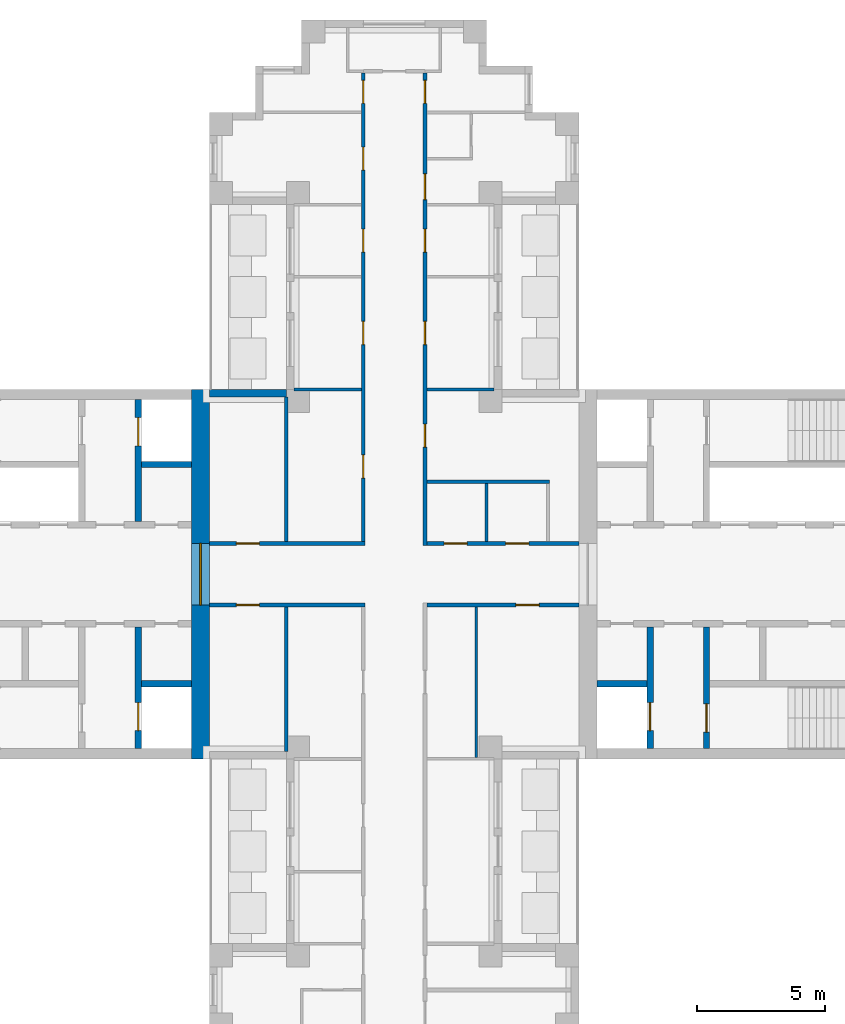
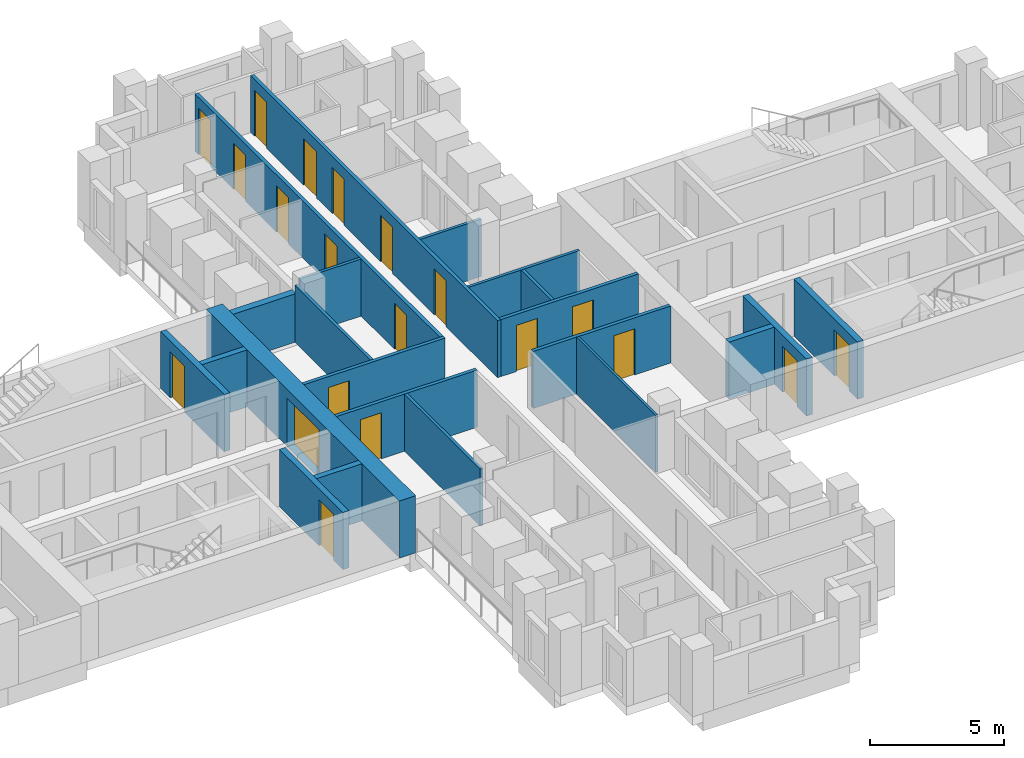
# One storey, part 5 of 10: 22 walls, 20 doors, 20 openings.
"""IFC4 building model written with IfcOpenShell, lengths in metres."""

from ifc_helpers import new_model, si_unit, direction, frame, frame_2d, origin, place, context, subcontext, project, spatial, rectangle, extrude, material, layer, layer_set, type_object, element, fill, save


model = new_model("IFC4")

# Units and contexts
model_context = context("Model", 3, precision=1e-05, world=origin(), true_north=direction((0.0, 1.0)))
body_context = subcontext(model_context, "Body", "Model", "MODEL_VIEW")
ifc_project = project(units=[si_unit("LENGTHUNIT", "METRE"), si_unit("AREAUNIT", "SQUARE_METRE"), si_unit("VOLUMEUNIT", "CUBIC_METRE"), si_unit("PLANEANGLEUNIT", "RADIAN"), si_unit("MASSUNIT", "GRAM", prefix="KILO")], contexts=[model_context])

# Site, building, storey
site_placement = place(None, origin())
site = spatial("IfcSite", under=ifc_project, at=site_placement, CompositionType="ELEMENT")
building_placement = place(site_placement, origin())
building = spatial("IfcBuilding", under=site, at=building_placement, Name="Fustian Cross Tower", CompositionType="ELEMENT")
storey_placement = place(building_placement, frame((0.0, 0.0, 185.699951171875)))
storey = spatial("IfcBuildingStorey", under=building, at=storey_placement, Name="L58", CompositionType="ELEMENT", Elevation=185.699951171875)

# Wall, opening, door
ifc_material_1 = material(Name="Plasterboard on steel stud", Category="steel")
ifc_layer_1 = layer(ifc_material_1, 0.14990234375)
ifc_layer_set_1 = layer_set([ifc_layer_1], Name="Plasterboard on steel stud")
wall_type_1 = type_object("IfcWallType", Name="COMPARTMENT WALL 150 EI 60", PredefinedType="PARTITIONING", material=ifc_layer_set_1)
wall_1_placement = place(storey_placement, frame((-7.199951171875, -1.199951171875, 0.0), z_axis=(0.0, 0.0, 1.0), x_axis=(1.0, 0.0, 0.0)))
wall_1 = element("IfcWall", 1, at=wall_1_placement, inside=storey, type_object=wall_type_1, Name="Partition 13", PredefinedType="PARTITIONING", context=body_context, shape_type="SweptSolid", body=[
    extrude(rectangle(XDim=6.074951171875, YDim=0.14990234375, at=frame_2d((3.03759765625, 0.0))), origin(), (0.0, 0.0, 1.0), 2.60009765625),
])
opening_1_placement = place(wall_1_placement, frame((1.050048828125, 0.0, 0.0)))
opening_1 = element("IfcOpeningElement", 2, at=opening_1_placement, cuts=wall_1, Name="Opening D26009", PredefinedType="OPENING", context=body_context, shape_type="SweptSolid", body=[
    extrude(rectangle(XDim=0.89990234375, YDim=2.10009765625, at=frame_2d((0.449951171875, 1.050048828125))), frame((0.0, 0.0849609375, 0.0), z_axis=(0.0, -1.0, 0.0), x_axis=(1.0, 0.0, 0.0)), (0.0, 0.0, 1.0), 0.169921875),
])
ifc_material_2 = material(Name="Timber fire door set", Category="wood")
door_type_1 = type_object("IfcDoorType", Name="FIRE SWING DOOR 900 FD30S", OperationType="SINGLE_SWING_LEFT", PredefinedType="DOOR", material=ifc_material_2)
door_1_placement = place(opening_1_placement, frame((0.89990234375, 0.0, 0.0), z_axis=(0.0, 0.0, 1.0), x_axis=(-1.0, 0.0, 0.0)))
door_1 = element("IfcDoor", 3, at=door_1_placement, inside=storey, type_object=door_type_1, Name="Door D26009", OperationType="SINGLE_SWING_LEFT", OverallHeight=2.10009765625, OverallWidth=0.89990234375, PredefinedType="DOOR", context=body_context, shape_type="SweptSolid", body=[
    extrude(rectangle(XDim=0.89990234375, YDim=2.10009765625, at=frame_2d((0.449951171875, 1.050048828125))), frame((0.0, 0.02490234375, 0.0), z_axis=(0.0, -1.0, 0.0), x_axis=(1.0, 0.0, 0.0)), (0.0, 0.0, 1.0), 0.050048828125),
])
fill(opening_1, door_1)

wall_2_placement = place(storey_placement, frame((-7.199951171875, 1.199951171875, 0.0), z_axis=(0.0, 0.0, 1.0), x_axis=(1.0, 0.0, 0.0)))
wall_2 = element("IfcWall", 4, at=wall_2_placement, inside=storey, type_object=wall_type_1, Name="Partition 14", PredefinedType="PARTITIONING", context=body_context, shape_type="SweptSolid", body=[
    extrude(rectangle(XDim=6.074951171875, YDim=0.14990234375, at=frame_2d((3.03759765625, 0.0))), origin(), (0.0, 0.0, 1.0), 2.60009765625),
])
opening_2_placement = place(wall_2_placement, frame((1.050048828125, 0.0, 0.0)))
opening_2 = element("IfcOpeningElement", 5, at=opening_2_placement, cuts=wall_2, Name="Opening D26005", PredefinedType="OPENING", context=body_context, shape_type="SweptSolid", body=[
    extrude(rectangle(XDim=0.89990234375, YDim=2.10009765625, at=frame_2d((0.449951171875, 1.050048828125))), frame((0.0, 0.0849609375, 0.0), z_axis=(0.0, -1.0, 0.0), x_axis=(1.0, 0.0, 0.0)), (0.0, 0.0, 1.0), 0.169921875),
])
door_2_placement = place(opening_2_placement, origin())
door_2 = element("IfcDoor", 6, at=door_2_placement, inside=storey, type_object=door_type_1, Name="Door D26005", OperationType="SINGLE_SWING_RIGHT", OverallHeight=2.10009765625, OverallWidth=0.89990234375, PredefinedType="DOOR", context=body_context, shape_type="SweptSolid", body=[
    extrude(rectangle(XDim=0.89990234375, YDim=2.10009765625, at=frame_2d((0.449951171875, 1.050048828125))), frame((0.0, 0.02490234375, 0.0), z_axis=(0.0, -1.0, 0.0), x_axis=(1.0, 0.0, 0.0)), (0.0, 0.0, 1.0), 0.050048828125),
])
fill(opening_2, door_2)

# Wall, openings, doors
wall_3_placement = place(storey_placement, frame((-1.199951171875, 1.27490234375, 0.0), z_axis=(0.0, 0.0, 1.0), x_axis=(0.0, 1.0, 0.0)))
wall_3 = element("IfcWall", 7, at=wall_3_placement, inside=storey, type_object=wall_type_1, Name="Partition 33", PredefinedType="PARTITIONING", context=body_context, shape_type="SweptSolid", body=[
    extrude(rectangle(XDim=18.25, YDim=0.14990234375, at=frame_2d((9.125, 0.0))), origin(), (0.0, 0.0, 1.0), 2.60009765625),
])
opening_3_placement = place(wall_3_placement, frame((2.47509765625, 0.0, 0.0)))
opening_3 = element("IfcOpeningElement", 8, at=opening_3_placement, cuts=wall_3, Name="Opening D26004", PredefinedType="OPENING", context=body_context, shape_type="SweptSolid", body=[
    extrude(rectangle(XDim=0.89990234375, YDim=2.10009765625, at=frame_2d((0.449951171875, 1.050048828125))), frame((0.0, 0.0849609375, 0.0), z_axis=(0.0, -1.0, 0.0), x_axis=(1.0, 0.0, 0.0)), (0.0, 0.0, 1.0), 0.169921875),
])
opening_4_placement = place(wall_3_placement, frame((11.27490234375, 0.0, 0.0)))
opening_4 = element("IfcOpeningElement", 9, at=opening_4_placement, cuts=wall_3, Name="Opening D26018", PredefinedType="OPENING", context=body_context, shape_type="SweptSolid", body=[
    extrude(rectangle(XDim=0.89990234375, YDim=2.10009765625, at=frame_2d((0.449951171875, 1.050048828125))), frame((0.0, 0.0849609375, 0.0), z_axis=(0.0, -1.0, 0.0), x_axis=(1.0, 0.0, 0.0)), (0.0, 0.0, 1.0), 0.169921875),
])
opening_5_placement = place(wall_3_placement, frame((7.675048828125, 0.0, 0.0)))
opening_5 = element("IfcOpeningElement", 10, at=opening_5_placement, cuts=wall_3, Name="Opening D26019", PredefinedType="OPENING", context=body_context, shape_type="SweptSolid", body=[
    extrude(rectangle(XDim=0.89990234375, YDim=2.10009765625, at=frame_2d((0.449951171875, 1.050048828125))), frame((0.0, 0.0849609375, 0.0), z_axis=(0.0, -1.0, 0.0), x_axis=(1.0, 0.0, 0.0)), (0.0, 0.0, 1.0), 0.169921875),
])
opening_6_placement = place(wall_3_placement, frame((14.47509765625, 0.0, 0.0)))
opening_6 = element("IfcOpeningElement", 11, at=opening_6_placement, cuts=wall_3, Name="Opening D26020", PredefinedType="OPENING", context=body_context, shape_type="SweptSolid", body=[
    extrude(rectangle(XDim=0.89990234375, YDim=2.10009765625, at=frame_2d((0.449951171875, 1.050048828125))), frame((0.0, 0.0849609375, 0.0), z_axis=(0.0, -1.0, 0.0), x_axis=(1.0, 0.0, 0.0)), (0.0, 0.0, 1.0), 0.169921875),
])
opening_7_placement = place(wall_3_placement, frame((17.074951171875, 0.0, 0.0)))
opening_7 = element("IfcOpeningElement", 12, at=opening_7_placement, cuts=wall_3, Name="Opening D26021", PredefinedType="OPENING", context=body_context, shape_type="SweptSolid", body=[
    extrude(rectangle(XDim=0.89990234375, YDim=2.10009765625, at=frame_2d((0.449951171875, 1.050048828125))), frame((0.0, 0.0849609375, 0.0), z_axis=(0.0, -1.0, 0.0), x_axis=(1.0, 0.0, 0.0)), (0.0, 0.0, 1.0), 0.169921875),
])
door_3_placement = place(opening_3_placement, origin())
door_3 = element("IfcDoor", 13, at=door_3_placement, inside=storey, type_object=door_type_1, Name="Door D26004", OperationType="SINGLE_SWING_LEFT", OverallHeight=2.10009765625, OverallWidth=0.89990234375, PredefinedType="DOOR", context=body_context, shape_type="SweptSolid", body=[
    extrude(rectangle(XDim=0.89990234375, YDim=2.10009765625, at=frame_2d((0.449951171875, 1.050048828125))), frame((0.0, 0.02490234375, 0.0), z_axis=(0.0, -1.0, 0.0), x_axis=(1.0, 0.0, 0.0)), (0.0, 0.0, 1.0), 0.050048828125),
])
fill(opening_3, door_3)
door_4_placement = place(opening_4_placement, origin())
door_4 = element("IfcDoor", 14, at=door_4_placement, inside=storey, type_object=door_type_1, Name="Door D26018", OperationType="SINGLE_SWING_LEFT", OverallHeight=2.10009765625, OverallWidth=0.89990234375, PredefinedType="DOOR", context=body_context, shape_type="SweptSolid", body=[
    extrude(rectangle(XDim=0.89990234375, YDim=2.10009765625, at=frame_2d((0.449951171875, 1.050048828125))), frame((0.0, 0.02490234375, 0.0), z_axis=(0.0, -1.0, 0.0), x_axis=(1.0, 0.0, 0.0)), (0.0, 0.0, 1.0), 0.050048828125),
])
fill(opening_4, door_4)
door_5_placement = place(opening_5_placement, origin())
door_5 = element("IfcDoor", 15, at=door_5_placement, inside=storey, type_object=door_type_1, Name="Door D26019", OperationType="SINGLE_SWING_LEFT", OverallHeight=2.10009765625, OverallWidth=0.89990234375, PredefinedType="DOOR", context=body_context, shape_type="SweptSolid", body=[
    extrude(rectangle(XDim=0.89990234375, YDim=2.10009765625, at=frame_2d((0.449951171875, 1.050048828125))), frame((0.0, 0.02490234375, 0.0), z_axis=(0.0, -1.0, 0.0), x_axis=(1.0, 0.0, 0.0)), (0.0, 0.0, 1.0), 0.050048828125),
])
fill(opening_5, door_5)
door_6_placement = place(opening_6_placement, origin())
door_6 = element("IfcDoor", 16, at=door_6_placement, inside=storey, type_object=door_type_1, Name="Door D26020", OperationType="SINGLE_SWING_LEFT", OverallHeight=2.10009765625, OverallWidth=0.89990234375, PredefinedType="DOOR", context=body_context, shape_type="SweptSolid", body=[
    extrude(rectangle(XDim=0.89990234375, YDim=2.10009765625, at=frame_2d((0.449951171875, 1.050048828125))), frame((0.0, 0.02490234375, 0.0), z_axis=(0.0, -1.0, 0.0), x_axis=(1.0, 0.0, 0.0)), (0.0, 0.0, 1.0), 0.050048828125),
])
fill(opening_6, door_6)
door_7_placement = place(opening_7_placement, origin())
door_7 = element("IfcDoor", 17, at=door_7_placement, inside=storey, type_object=door_type_1, Name="Door D26021", OperationType="SINGLE_SWING_LEFT", OverallHeight=2.10009765625, OverallWidth=0.89990234375, PredefinedType="DOOR", context=body_context, shape_type="SweptSolid", body=[
    extrude(rectangle(XDim=0.89990234375, YDim=2.10009765625, at=frame_2d((0.449951171875, 1.050048828125))), frame((0.0, 0.02490234375, 0.0), z_axis=(0.0, -1.0, 0.0), x_axis=(1.0, 0.0, 0.0)), (0.0, 0.0, 1.0), 0.050048828125),
])
fill(opening_7, door_7)

# Wall, opening, door
wall_4_placement = place(storey_placement, frame((1.27490234375, -1.199951171875, 0.0), z_axis=(0.0, 0.0, 1.0), x_axis=(1.0, 0.0, 0.0)))
wall_4 = element("IfcWall", 18, at=wall_4_placement, inside=storey, type_object=wall_type_1, Name="Partition 41", PredefinedType="PARTITIONING", context=body_context, shape_type="SweptSolid", body=[
    extrude(rectangle(XDim=5.925048828125, YDim=0.14990234375, at=frame_2d((2.96240234375, 0.0))), origin(), (0.0, 0.0, 1.0), 2.60009765625),
])
opening_8_placement = place(wall_4_placement, frame((3.47509765625, 0.0, 0.0)))
opening_8 = element("IfcOpeningElement", 19, at=opening_8_placement, cuts=wall_4, Name="Opening D26007", PredefinedType="OPENING", context=body_context, shape_type="SweptSolid", body=[
    extrude(rectangle(XDim=0.89990234375, YDim=2.10009765625, at=frame_2d((0.449951171875, 1.050048828125))), frame((0.0, 0.0849609375, 0.0), z_axis=(0.0, -1.0, 0.0), x_axis=(1.0, 0.0, 0.0)), (0.0, 0.0, 1.0), 0.169921875),
])
door_8_placement = place(opening_8_placement, frame((0.89990234375, 0.0, 0.0), z_axis=(0.0, 0.0, 1.0), x_axis=(-1.0, 0.0, 0.0)))
door_8 = element("IfcDoor", 20, at=door_8_placement, inside=storey, type_object=door_type_1, Name="Door D26007", OperationType="SINGLE_SWING_RIGHT", OverallHeight=2.10009765625, OverallWidth=0.89990234375, PredefinedType="DOOR", context=body_context, shape_type="SweptSolid", body=[
    extrude(rectangle(XDim=0.89990234375, YDim=2.10009765625, at=frame_2d((0.449951171875, 1.050048828125))), frame((0.0, 0.02490234375, 0.0), z_axis=(0.0, -1.0, 0.0), x_axis=(1.0, 0.0, 0.0)), (0.0, 0.0, 1.0), 0.050048828125),
])
fill(opening_8, door_8)

# Wall, openings, doors
wall_5_placement = place(storey_placement, frame((1.199951171875, 1.125, 0.0), z_axis=(0.0, 0.0, 1.0), x_axis=(0.0, 1.0, 0.0)))
wall_5 = element("IfcWall", 21, at=wall_5_placement, inside=storey, type_object=wall_type_1, Name="Partition 42", PredefinedType="PARTITIONING", context=body_context, shape_type="SweptSolid", body=[
    extrude(rectangle(XDim=18.39990234375, YDim=0.14990234375, at=frame_2d((9.199951171875, 0.0))), origin(), (0.0, 0.0, 1.0), 2.60009765625),
])
opening_9_placement = place(wall_5_placement, frame((3.824951171875, 0.0, 0.0)))
opening_9 = element("IfcOpeningElement", 22, at=opening_9_placement, cuts=wall_5, Name="Opening D26003", PredefinedType="OPENING", context=body_context, shape_type="SweptSolid", body=[
    extrude(rectangle(XDim=0.89990234375, YDim=2.10009765625, at=frame_2d((0.449951171875, 1.050048828125))), frame((0.0, 0.0849609375, 0.0), z_axis=(0.0, -1.0, 0.0), x_axis=(1.0, 0.0, 0.0)), (0.0, 0.0, 1.0), 0.169921875),
])
opening_10_placement = place(wall_5_placement, frame((11.425048828125, 0.0, 0.0)))
opening_10 = element("IfcOpeningElement", 23, at=opening_10_placement, cuts=wall_5, Name="Opening D26022", PredefinedType="OPENING", context=body_context, shape_type="SweptSolid", body=[
    extrude(rectangle(XDim=0.89990234375, YDim=2.10009765625, at=frame_2d((0.449951171875, 1.050048828125))), frame((0.0, 0.0849609375, 0.0), z_axis=(0.0, -1.0, 0.0), x_axis=(1.0, 0.0, 0.0)), (0.0, 0.0, 1.0), 0.169921875),
])
opening_11_placement = place(wall_5_placement, frame((7.824951171875, 0.0, 0.0)))
opening_11 = element("IfcOpeningElement", 24, at=opening_11_placement, cuts=wall_5, Name="Opening D26023", PredefinedType="OPENING", context=body_context, shape_type="SweptSolid", body=[
    extrude(rectangle(XDim=0.89990234375, YDim=2.10009765625, at=frame_2d((0.449951171875, 1.050048828125))), frame((0.0, 0.0849609375, 0.0), z_axis=(0.0, -1.0, 0.0), x_axis=(1.0, 0.0, 0.0)), (0.0, 0.0, 1.0), 0.169921875),
])
opening_12_placement = place(wall_5_placement, frame((13.47509765625, 0.0, 0.0)))
opening_12 = element("IfcOpeningElement", 25, at=opening_12_placement, cuts=wall_5, Name="Opening D26025", PredefinedType="OPENING", context=body_context, shape_type="SweptSolid", body=[
    extrude(rectangle(XDim=1.0, YDim=2.10009765625, at=frame_2d((0.5, 1.050048828125))), frame((0.0, 0.0849609375, 0.0), z_axis=(0.0, -1.0, 0.0), x_axis=(1.0, 0.0, 0.0)), (0.0, 0.0, 1.0), 0.169921875),
])
opening_13_placement = place(wall_5_placement, frame((17.22509765625, 0.0, 0.0)))
opening_13 = element("IfcOpeningElement", 26, at=opening_13_placement, cuts=wall_5, Name="Opening D26026", PredefinedType="OPENING", context=body_context, shape_type="SweptSolid", body=[
    extrude(rectangle(XDim=0.89990234375, YDim=2.10009765625, at=frame_2d((0.449951171875, 1.050048828125))), frame((0.0, 0.0849609375, 0.0), z_axis=(0.0, -1.0, 0.0), x_axis=(1.0, 0.0, 0.0)), (0.0, 0.0, 1.0), 0.169921875),
])
ifc_material_3 = material(Name="Timber fire door set", Category="wood")
door_type_2 = type_object("IfcDoorType", Name="FIRE SWING DOOR 1000 FD30S", OperationType="SINGLE_SWING_LEFT", PredefinedType="DOOR", material=ifc_material_3)
door_9_placement = place(opening_12_placement, frame((1.0, 0.0, 0.0), z_axis=(0.0, 0.0, 1.0), x_axis=(-1.0, 0.0, 0.0)))
door_9 = element("IfcDoor", 27, at=door_9_placement, inside=storey, type_object=door_type_2, Name="Door D26025", OperationType="SINGLE_SWING_RIGHT", OverallHeight=2.10009765625, OverallWidth=1.0, PredefinedType="DOOR", context=body_context, shape_type="SweptSolid", body=[
    extrude(rectangle(XDim=1.0, YDim=2.10009765625, at=frame_2d((0.5, 1.050048828125))), frame((0.0, 0.02490234375, 0.0), z_axis=(0.0, -1.0, 0.0), x_axis=(1.0, 0.0, 0.0)), (0.0, 0.0, 1.0), 0.050048828125),
])
fill(opening_12, door_9)
door_10_placement = place(opening_9_placement, frame((0.89990234375, 0.0, 0.0), z_axis=(0.0, 0.0, 1.0), x_axis=(-1.0, 0.0, 0.0)))
door_10 = element("IfcDoor", 28, at=door_10_placement, inside=storey, type_object=door_type_1, Name="Door D26003", OperationType="SINGLE_SWING_RIGHT", OverallHeight=2.10009765625, OverallWidth=0.89990234375, PredefinedType="DOOR", context=body_context, shape_type="SweptSolid", body=[
    extrude(rectangle(XDim=0.89990234375, YDim=2.10009765625, at=frame_2d((0.449951171875, 1.050048828125))), frame((0.0, 0.02490234375, 0.0), z_axis=(0.0, -1.0, 0.0), x_axis=(1.0, 0.0, 0.0)), (0.0, 0.0, 1.0), 0.050048828125),
])
fill(opening_9, door_10)
door_11_placement = place(opening_10_placement, frame((0.89990234375, 0.0, 0.0), z_axis=(0.0, 0.0, 1.0), x_axis=(-1.0, 0.0, 0.0)))
door_11 = element("IfcDoor", 29, at=door_11_placement, inside=storey, type_object=door_type_1, Name="Door D26022", OperationType="SINGLE_SWING_RIGHT", OverallHeight=2.10009765625, OverallWidth=0.89990234375, PredefinedType="DOOR", context=body_context, shape_type="SweptSolid", body=[
    extrude(rectangle(XDim=0.89990234375, YDim=2.10009765625, at=frame_2d((0.449951171875, 1.050048828125))), frame((0.0, 0.02490234375, 0.0), z_axis=(0.0, -1.0, 0.0), x_axis=(1.0, 0.0, 0.0)), (0.0, 0.0, 1.0), 0.050048828125),
])
fill(opening_10, door_11)
door_12_placement = place(opening_11_placement, frame((0.89990234375, 0.0, 0.0), z_axis=(0.0, 0.0, 1.0), x_axis=(-1.0, 0.0, 0.0)))
door_12 = element("IfcDoor", 30, at=door_12_placement, inside=storey, type_object=door_type_1, Name="Door D26023", OperationType="SINGLE_SWING_RIGHT", OverallHeight=2.10009765625, OverallWidth=0.89990234375, PredefinedType="DOOR", context=body_context, shape_type="SweptSolid", body=[
    extrude(rectangle(XDim=0.89990234375, YDim=2.10009765625, at=frame_2d((0.449951171875, 1.050048828125))), frame((0.0, 0.02490234375, 0.0), z_axis=(0.0, -1.0, 0.0), x_axis=(1.0, 0.0, 0.0)), (0.0, 0.0, 1.0), 0.050048828125),
])
fill(opening_11, door_12)
door_13_placement = place(opening_13_placement, frame((0.89990234375, 0.0, 0.0), z_axis=(0.0, 0.0, 1.0), x_axis=(-1.0, 0.0, 0.0)))
door_13 = element("IfcDoor", 31, at=door_13_placement, inside=storey, type_object=door_type_1, Name="Door D26026", OperationType="SINGLE_SWING_RIGHT", OverallHeight=2.10009765625, OverallWidth=0.89990234375, PredefinedType="DOOR", context=body_context, shape_type="SweptSolid", body=[
    extrude(rectangle(XDim=0.89990234375, YDim=2.10009765625, at=frame_2d((0.449951171875, 1.050048828125))), frame((0.0, 0.02490234375, 0.0), z_axis=(0.0, -1.0, 0.0), x_axis=(1.0, 0.0, 0.0)), (0.0, 0.0, 1.0), 0.050048828125),
])
fill(opening_13, door_13)

wall_6_placement = place(storey_placement, frame((1.27490234375, 1.199951171875, 0.0), z_axis=(0.0, 0.0, 1.0), x_axis=(1.0, 0.0, 0.0)))
wall_6 = element("IfcWall", 32, at=wall_6_placement, inside=storey, type_object=wall_type_1, Name="Partition 43", PredefinedType="PARTITIONING", context=body_context, shape_type="SweptSolid", body=[
    extrude(rectangle(XDim=5.925048828125, YDim=0.14990234375, at=frame_2d((2.96240234375, 0.0))), origin(), (0.0, 0.0, 1.0), 2.60009765625),
])
opening_14_placement = place(wall_6_placement, frame((0.675048828125, 0.0, 0.0)))
opening_14 = element("IfcOpeningElement", 33, at=opening_14_placement, cuts=wall_6, Name="Opening D26001", PredefinedType="OPENING", context=body_context, shape_type="SweptSolid", body=[
    extrude(rectangle(XDim=0.89990234375, YDim=2.10009765625, at=frame_2d((0.449951171875, 1.050048828125))), frame((0.0, 0.0849609375, 0.0), z_axis=(0.0, -1.0, 0.0), x_axis=(1.0, 0.0, 0.0)), (0.0, 0.0, 1.0), 0.169921875),
])
opening_15_placement = place(wall_6_placement, frame((3.074951171875, 0.0, 0.0)))
opening_15 = element("IfcOpeningElement", 34, at=opening_15_placement, cuts=wall_6, Name="Opening D26002", PredefinedType="OPENING", context=body_context, shape_type="SweptSolid", body=[
    extrude(rectangle(XDim=0.89990234375, YDim=2.10009765625, at=frame_2d((0.449951171875, 1.050048828125))), frame((0.0, 0.0849609375, 0.0), z_axis=(0.0, -1.0, 0.0), x_axis=(1.0, 0.0, 0.0)), (0.0, 0.0, 1.0), 0.169921875),
])
door_14_placement = place(opening_14_placement, origin())
door_14 = element("IfcDoor", 35, at=door_14_placement, inside=storey, type_object=door_type_1, Name="Door D26001", OperationType="SINGLE_SWING_LEFT", OverallHeight=2.10009765625, OverallWidth=0.89990234375, PredefinedType="DOOR", context=body_context, shape_type="SweptSolid", body=[
    extrude(rectangle(XDim=0.89990234375, YDim=2.10009765625, at=frame_2d((0.449951171875, 1.050048828125))), frame((0.0, 0.02490234375, 0.0), z_axis=(0.0, -1.0, 0.0), x_axis=(1.0, 0.0, 0.0)), (0.0, 0.0, 1.0), 0.050048828125),
])
fill(opening_14, door_14)
door_15_placement = place(opening_15_placement, origin())
door_15 = element("IfcDoor", 36, at=door_15_placement, inside=storey, type_object=door_type_1, Name="Door D26002", OperationType="SINGLE_SWING_LEFT", OverallHeight=2.10009765625, OverallWidth=0.89990234375, PredefinedType="DOOR", context=body_context, shape_type="SweptSolid", body=[
    extrude(rectangle(XDim=0.89990234375, YDim=2.10009765625, at=frame_2d((0.449951171875, 1.050048828125))), frame((0.0, 0.02490234375, 0.0), z_axis=(0.0, -1.0, 0.0), x_axis=(1.0, 0.0, 0.0)), (0.0, 0.0, 1.0), 0.050048828125),
])
fill(opening_15, door_15)

# Wall, opening, door
ifc_material_4 = material(Name="Concrete C50/60", Category="concrete")
ifc_layer_2 = layer(ifc_material_4, 0.699951171875)
ifc_layer_set_2 = layer_set([ifc_layer_2], Name="Concrete C50/60")
wall_type_2 = type_object("IfcWallType", Name="CORE END WALL 700 C50/60", PredefinedType="SHEAR", material=ifc_layer_set_2)
wall_7_placement = place(storey_placement, frame((-7.550048828125, -7.199951171875, 0.0), z_axis=(0.0, 0.0, 1.0), x_axis=(0.0, 1.0, 0.0)))
wall_7 = element("IfcWall", 37, at=wall_7_placement, inside=storey, type_object=wall_type_2, Name="Core end wall", PredefinedType="SHEAR", context=body_context, shape_type="SweptSolid", body=[
    extrude(rectangle(XDim=14.39990234375, YDim=0.699951171875, at=frame_2d((7.199951171875, 0.0))), origin(), (0.0, 0.0, 1.0), 2.60009765625),
])
opening_16_placement = place(wall_7_placement, frame((6.0, 0.0, 0.0)))
opening_16 = element("IfcOpeningElement", 38, at=opening_16_placement, cuts=wall_7, Name="Opening CD-23-29", PredefinedType="OPENING", context=body_context, shape_type="SweptSolid", body=[
    extrude(rectangle(XDim=2.39990234375, YDim=2.199951171875, at=frame_2d((1.199951171875, 1.10009765625))), frame((0.0, 0.35986328125, 0.0), z_axis=(0.0, -1.0, 0.0), x_axis=(1.0, 0.0, 0.0)), (0.0, 0.0, 1.0), 0.719970703125),
])
ifc_material_5 = material(Name="Steel", Category="steel")
door_type_3 = type_object("IfcDoorType", Name="FIRE DOOR FD30S DOUBLE 2400X2200", OperationType="DOUBLE_DOOR_DOUBLE_SWING", PredefinedType="DOOR", material=ifc_material_5)
door_16_placement = place(opening_16_placement, origin())
door_16 = element("IfcDoor", 39, at=door_16_placement, inside=storey, type_object=door_type_3, Name="Core door CD-23-29", OperationType="DOUBLE_DOOR_DOUBLE_SWING", OverallHeight=2.199951171875, OverallWidth=2.39990234375, PredefinedType="DOOR", context=body_context, shape_type="SweptSolid", body=[
    extrude(rectangle(XDim=2.39990234375, YDim=2.199951171875, at=frame_2d((1.199951171875, 1.10009765625))), frame((0.0, 0.02490234375, 0.0), z_axis=(0.0, -1.0, 0.0), x_axis=(1.0, 0.0, 0.0)), (0.0, 0.0, 1.0), 0.050048828125),
])
fill(opening_16, door_16)

# Wall
ifc_material_6 = material(Name="Concrete C50/60", Category="concrete")
ifc_layer_3 = layer(ifc_material_6, 0.25)
ifc_layer_set_3 = layer_set([ifc_layer_3], Name="Concrete C50/60")
wall_type_3 = type_object("IfcWallType", Name="CORE SHAFT WALL 250 C50/60", PredefinedType="SHEAR", material=ifc_layer_set_3)
wall_8_placement = place(storey_placement, frame((7.89990234375, -4.27490234375, 0.0), z_axis=(0.0, 0.0, 1.0), x_axis=(1.0, 0.0, 0.0)))
element("IfcWall", 40, at=wall_8_placement, inside=storey, type_object=wall_type_3, Name="Core shaft wall", PredefinedType="SHEAR", context=body_context, shape_type="SweptSolid", body=[
    extrude(rectangle(XDim=1.9501953125, YDim=0.25, at=frame_2d((0.97509765625, 0.0))), origin(), (0.0, 0.0, 1.0), 2.60009765625),
])

# Wall, opening, door
wall_9_placement = place(storey_placement, frame((9.97509765625, -2.050048828125, 0.0), z_axis=(0.0, 0.0, 1.0), x_axis=(0.0, -1.0, 0.0)))
wall_9 = element("IfcWall", 41, at=wall_9_placement, inside=storey, type_object=wall_type_3, Name="Core shaft wall", PredefinedType="SHEAR", context=body_context, shape_type="SweptSolid", body=[
    extrude(rectangle(XDim=4.75, YDim=0.25, at=frame_2d((2.375, 0.0))), origin(), (0.0, 0.0, 1.0), 2.60009765625),
])
opening_17_placement = place(wall_9_placement, frame((2.949951171875, 0.0, 0.0)))
opening_17 = element("IfcOpeningElement", 42, at=opening_17_placement, cuts=wall_9, Name="Opening LD", PredefinedType="OPENING", context=body_context, shape_type="SweptSolid", body=[
    extrude(rectangle(XDim=1.10009765625, YDim=2.10009765625, at=frame_2d((0.550048828125, 1.050048828125))), frame((0.0, 0.135009765625, 0.0), z_axis=(0.0, -1.0, 0.0), x_axis=(1.0, 0.0, 0.0)), (0.0, 0.0, 1.0), 0.27001953125),
])
ifc_material_7 = material(Name="Stainless steel", Category="steel")
door_type_4 = type_object("IfcDoorType", Name="LIFT LANDING DOOR 1100X2100", OperationType="SLIDING_TO_LEFT", PredefinedType="DOOR", material=ifc_material_7)
door_17_placement = place(opening_17_placement, origin())
door_17 = element("IfcDoor", 43, at=door_17_placement, inside=storey, type_object=door_type_4, Name="Landing door SV1", OperationType="SLIDING_TO_LEFT", OverallHeight=2.10009765625, OverallWidth=1.10009765625, PredefinedType="DOOR", context=body_context, shape_type="SweptSolid", body=[
    extrude(rectangle(XDim=1.10009765625, YDim=2.10009765625, at=frame_2d((0.550048828125, 1.050048828125))), frame((0.0, 0.02490234375, 0.0), z_axis=(0.0, -1.0, 0.0), x_axis=(1.0, 0.0, 0.0)), (0.0, 0.0, 1.0), 0.050048828125),
])
fill(opening_17, door_17)

wall_10_placement = place(storey_placement, frame((12.175048828125, -2.050048828125, 0.0), z_axis=(0.0, 0.0, 1.0), x_axis=(0.0, -1.0, 0.0)))
wall_10 = element("IfcWall", 44, at=wall_10_placement, inside=storey, type_object=wall_type_3, Name="Core shaft wall", PredefinedType="SHEAR", context=body_context, shape_type="SweptSolid", body=[
    extrude(rectangle(XDim=4.75, YDim=0.25, at=frame_2d((2.375, 0.0))), origin(), (0.0, 0.0, 1.0), 2.60009765625),
])
opening_18_placement = place(wall_10_placement, frame((3.0, 0.0, 0.0)))
opening_18 = element("IfcOpeningElement", 45, at=opening_18_placement, cuts=wall_10, Name="Opening CD-23-07", PredefinedType="OPENING", context=body_context, shape_type="SweptSolid", body=[
    extrude(rectangle(XDim=1.10009765625, YDim=2.10009765625, at=frame_2d((0.550048828125, 1.050048828125))), frame((0.0, 0.135009765625, 0.0), z_axis=(0.0, -1.0, 0.0), x_axis=(1.0, 0.0, 0.0)), (0.0, 0.0, 1.0), 0.27001953125),
])
ifc_material_8 = material(Name="Steel", Category="steel")
door_type_5 = type_object("IfcDoorType", Name="FIRE DOOR FD60S 1100X2100", OperationType="SINGLE_SWING_LEFT", PredefinedType="DOOR", material=ifc_material_8)
door_18_placement = place(opening_18_placement, origin())
door_18 = element("IfcDoor", 46, at=door_18_placement, inside=storey, type_object=door_type_5, Name="Core door CD-23-07", OperationType="SINGLE_SWING_LEFT", OverallHeight=2.10009765625, OverallWidth=1.10009765625, PredefinedType="DOOR", context=body_context, shape_type="SweptSolid", body=[
    extrude(rectangle(XDim=1.10009765625, YDim=2.10009765625, at=frame_2d((0.550048828125, 1.050048828125))), frame((0.0, 0.02490234375, 0.0), z_axis=(0.0, -1.0, 0.0), x_axis=(1.0, 0.0, 0.0)), (0.0, 0.0, 1.0), 0.050048828125),
])
fill(opening_18, door_18)

# Wall
wall_11_placement = place(storey_placement, frame((-7.89990234375, 4.27490234375, 0.0), z_axis=(0.0, 0.0, 1.0), x_axis=(-1.0, 0.0, 0.0)))
element("IfcWall", 47, at=wall_11_placement, inside=storey, type_object=wall_type_3, Name="Core shaft wall", PredefinedType="SHEAR", context=body_context, shape_type="SweptSolid", body=[
    extrude(rectangle(XDim=1.9501953125, YDim=0.25, at=frame_2d((0.97509765625, 0.0))), origin(), (0.0, 0.0, 1.0), 2.60009765625),
])

# Wall, opening, door
wall_12_placement = place(storey_placement, frame((-9.97509765625, 2.050048828125, 0.0), z_axis=(0.0, 0.0, 1.0), x_axis=(0.0, 1.0, 0.0)))
wall_12 = element("IfcWall", 48, at=wall_12_placement, inside=storey, type_object=wall_type_3, Name="Core shaft wall", PredefinedType="SHEAR", context=body_context, shape_type="SweptSolid", body=[
    extrude(rectangle(XDim=4.75, YDim=0.25, at=frame_2d((2.375, 0.0))), origin(), (0.0, 0.0, 1.0), 2.60009765625),
])
opening_19_placement = place(wall_12_placement, frame((2.949951171875, 0.0, 0.0)))
opening_19 = element("IfcOpeningElement", 49, at=opening_19_placement, cuts=wall_12, Name="Opening LD", PredefinedType="OPENING", context=body_context, shape_type="SweptSolid", body=[
    extrude(rectangle(XDim=1.10009765625, YDim=2.10009765625, at=frame_2d((0.550048828125, 1.050048828125))), frame((0.0, 0.135009765625, 0.0), z_axis=(0.0, -1.0, 0.0), x_axis=(1.0, 0.0, 0.0)), (0.0, 0.0, 1.0), 0.27001953125),
])
door_19_placement = place(opening_19_placement, origin())
door_19 = element("IfcDoor", 50, at=door_19_placement, inside=storey, type_object=door_type_4, Name="Landing door FL1W", OperationType="SLIDING_TO_LEFT", OverallHeight=2.10009765625, OverallWidth=1.10009765625, PredefinedType="DOOR", context=body_context, shape_type="SweptSolid", body=[
    extrude(rectangle(XDim=1.10009765625, YDim=2.10009765625, at=frame_2d((0.550048828125, 1.050048828125))), frame((0.0, 0.02490234375, 0.0), z_axis=(0.0, -1.0, 0.0), x_axis=(1.0, 0.0, 0.0)), (0.0, 0.0, 1.0), 0.050048828125),
])
fill(opening_19, door_19)

# Wall
wall_13_placement = place(storey_placement, frame((-7.89990234375, -4.27490234375, 0.0), z_axis=(0.0, 0.0, 1.0), x_axis=(-1.0, 0.0, 0.0)))
element("IfcWall", 51, at=wall_13_placement, inside=storey, type_object=wall_type_3, Name="Core shaft wall", PredefinedType="SHEAR", context=body_context, shape_type="SweptSolid", body=[
    extrude(rectangle(XDim=1.9501953125, YDim=0.25, at=frame_2d((0.97509765625, 0.0))), origin(), (0.0, 0.0, 1.0), 2.60009765625),
])

# Wall, opening, door
wall_14_placement = place(storey_placement, frame((-9.97509765625, -2.050048828125, 0.0), z_axis=(0.0, 0.0, 1.0), x_axis=(0.0, -1.0, 0.0)))
wall_14 = element("IfcWall", 52, at=wall_14_placement, inside=storey, type_object=wall_type_3, Name="Core shaft wall", PredefinedType="SHEAR", context=body_context, shape_type="SweptSolid", body=[
    extrude(rectangle(XDim=4.75, YDim=0.25, at=frame_2d((2.375, 0.0))), origin(), (0.0, 0.0, 1.0), 2.60009765625),
])
opening_20_placement = place(wall_14_placement, frame((2.949951171875, 0.0, 0.0)))
opening_20 = element("IfcOpeningElement", 53, at=opening_20_placement, cuts=wall_14, Name="Opening LD", PredefinedType="OPENING", context=body_context, shape_type="SweptSolid", body=[
    extrude(rectangle(XDim=1.10009765625, YDim=2.10009765625, at=frame_2d((0.550048828125, 1.050048828125))), frame((0.0, 0.135009765625, 0.0), z_axis=(0.0, -1.0, 0.0), x_axis=(1.0, 0.0, 0.0)), (0.0, 0.0, 1.0), 0.27001953125),
])
door_20_placement = place(opening_20_placement, origin())
door_20 = element("IfcDoor", 54, at=door_20_placement, inside=storey, type_object=door_type_4, Name="Landing door SV1W", OperationType="SLIDING_TO_LEFT", OverallHeight=2.10009765625, OverallWidth=1.10009765625, PredefinedType="DOOR", context=body_context, shape_type="SweptSolid", body=[
    extrude(rectangle(XDim=1.10009765625, YDim=2.10009765625, at=frame_2d((0.550048828125, 1.050048828125))), frame((0.0, 0.02490234375, 0.0), z_axis=(0.0, -1.0, 0.0), x_axis=(1.0, 0.0, 0.0)), (0.0, 0.0, 1.0), 0.050048828125),
])
fill(opening_20, door_20)

# Walls
ifc_material_9 = material(Name="Plasterboard on steel stud", Category="steel")
ifc_layer_4 = layer(ifc_material_9, 0.10009765625)
ifc_layer_set_4 = layer_set([ifc_layer_4], Name="Plasterboard on steel stud")
wall_type_4 = type_object("IfcWallType", Name="PARTITION 100 STUD", PredefinedType="PARTITIONING", material=ifc_layer_set_4)
wall_15_placement = place(storey_placement, frame((3.199951171875, -7.14990234375, 0.0), z_axis=(0.0, 0.0, 1.0), x_axis=(0.0, 1.0, 0.0)))
element("IfcWall", 55, at=wall_15_placement, inside=storey, type_object=wall_type_4, Name="Partition 55", PredefinedType="PARTITIONING", context=body_context, shape_type="SweptSolid", body=[
    extrude(rectangle(XDim=5.875, YDim=0.10009765625, at=frame_2d((2.9375, 0.0))), origin(), (0.0, 0.0, 1.0), 2.60009765625),
])
ifc_material_10 = material(Name="Plasterboard on steel stud", Category="steel")
ifc_layer_5 = layer(ifc_material_10, 0.125)
ifc_layer_set_5 = layer_set([ifc_layer_5], Name="Plasterboard on steel stud")
wall_type_5 = type_object("IfcWallType", Name="WET WALL 125 STUD", PredefinedType="PARTITIONING", material=ifc_layer_set_5)
for number, where, z_axis, x_axis, name in (
    (56, (-4.199951171875, -6.89990234375, 0.0), (0.0, 0.0, 1.0), (0.0, 1.0, 0.0), "Partition 16"),
    (57, (-4.199951171875, 1.27490234375, 0.0), (0.0, 0.0, 1.0), (0.0, 1.0, 0.0), "Partition 17"),
):
    element("IfcWall", number, at=place(storey_placement, frame(where, z_axis=z_axis, x_axis=x_axis)), inside=storey, type_object=wall_type_5, Name=name, PredefinedType="PARTITIONING", context=body_context, shape_type="SweptSolid", body=[
        extrude(rectangle(XDim=5.625, YDim=0.125, at=frame_2d((2.8125, 0.0))), origin(), (0.0, 0.0, 1.0), 2.60009765625),
    ])
wall_16_placement = place(storey_placement, frame((-3.89990234375, 7.199951171875, 0.0), z_axis=(0.0, 0.0, 1.0), x_axis=(1.0, 0.0, 0.0)))
element("IfcWall", 58, at=wall_16_placement, inside=storey, type_object=wall_type_5, Name="Partition 21", PredefinedType="PARTITIONING", context=body_context, shape_type="SweptSolid", body=[
    extrude(rectangle(XDim=2.625, YDim=0.125, at=frame_2d((1.3125, 0.0))), origin(), (0.0, 0.0, 1.0), 2.60009765625),
])
wall_17_placement = place(storey_placement, frame((1.27490234375, 3.60009765625, 0.0), z_axis=(0.0, 0.0, 1.0), x_axis=(1.0, 0.0, 0.0)))
element("IfcWall", 59, at=wall_17_placement, inside=storey, type_object=wall_type_5, Name="Partition 44", PredefinedType="PARTITIONING", context=body_context, shape_type="SweptSolid", body=[
    extrude(rectangle(XDim=4.78759765625, YDim=0.125, at=frame_2d((2.393798828125, 0.0))), origin(), (0.0, 0.0, 1.0), 2.60009765625),
])
wall_18_placement = place(storey_placement, frame((1.27490234375, 7.199951171875, 0.0), z_axis=(0.0, 0.0, 1.0), x_axis=(1.0, 0.0, 0.0)))
element("IfcWall", 60, at=wall_18_placement, inside=storey, type_object=wall_type_5, Name="Partition 45", PredefinedType="PARTITIONING", context=body_context, shape_type="SweptSolid", body=[
    extrude(rectangle(XDim=2.625, YDim=0.125, at=frame_2d((1.3125, 0.0))), origin(), (0.0, 0.0, 1.0), 2.60009765625),
])
wall_19_placement = place(storey_placement, frame((3.60009765625, 1.27490234375, 0.0), z_axis=(0.0, 0.0, 1.0), x_axis=(0.0, 1.0, 0.0)))
element("IfcWall", 61, at=wall_19_placement, inside=storey, type_object=wall_type_5, Name="Partition 56", PredefinedType="PARTITIONING", context=body_context, shape_type="SweptSolid", body=[
    extrude(rectangle(XDim=2.2626953125, YDim=0.125, at=frame_2d((1.13134765625, 0.0))), origin(), (0.0, 0.0, 1.0), 2.60009765625),
])
ifc_material_11 = material(Name="Dark aluminium cladding on insulated backing wall", Category="aluminium")
ifc_layer_6 = layer(ifc_material_11, 0.300048828125)
ifc_layer_set_6 = layer_set([ifc_layer_6], Name="Dark aluminium cladding on insulated backing wall")
wall_type_6 = type_object("IfcWallType", Name="XW1 EXTERNAL WALL 300", PredefinedType="SOLIDWALL", material=ifc_layer_set_6)
wall_20_placement = place(storey_placement, frame((-4.199951171875, 7.050048828125, 0.0), z_axis=(0.0, 0.0, 1.0), x_axis=(-1.0, 0.0, 0.0)))
element("IfcWall", 62, at=wall_20_placement, inside=storey, type_object=wall_type_6, Name="External wall", PredefinedType="SOLIDWALL", context=body_context, shape_type="SweptSolid", body=[
    extrude(rectangle(XDim=3.0, YDim=0.300048828125, at=frame_2d((1.5, 0.0))), origin(), (0.0, 0.0, 1.0), 2.199951171875),
])

save(model, "model.ifc")
